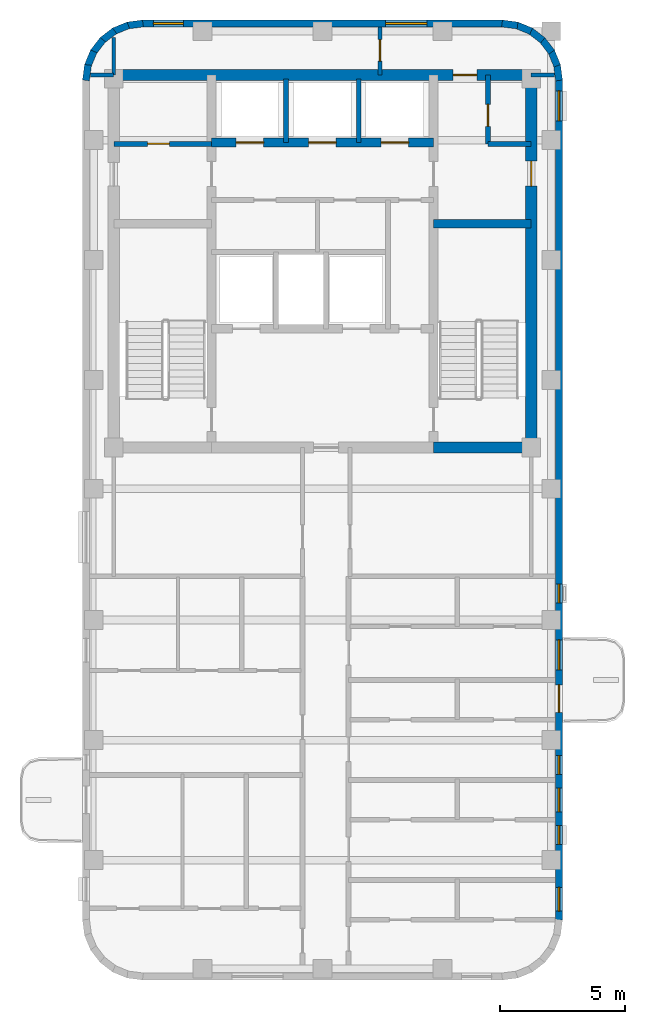
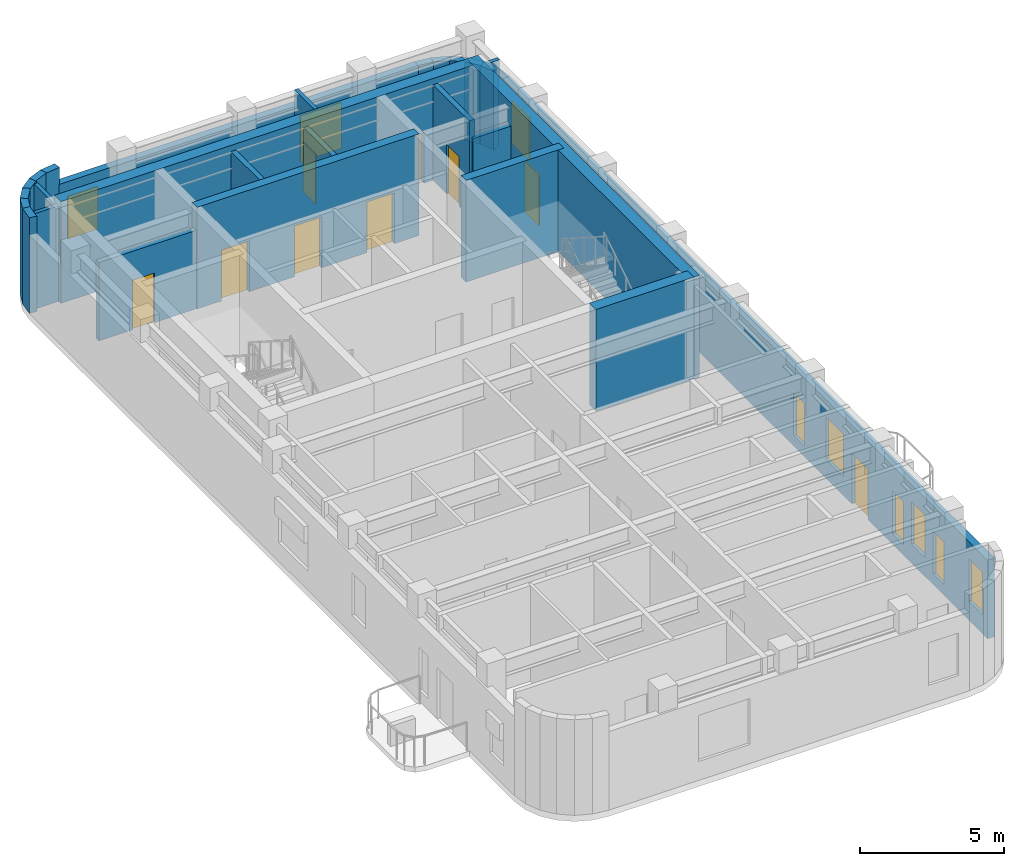
# One storey, part 4 of 7: 28 walls, 9 doors, 9 windows, 18 openings.
"""IFC4 building model written with IfcOpenShell, lengths in metres."""

from ifc_helpers import new_model, si_unit, direction, frame, frame_2d, origin, place, context, subcontext, project, spatial, rectangle, extrude, material, layer, layer_set, type_object, element, fill, save


model = new_model("IFC4")

# Units and contexts
model_context = context("Model", 3, precision=1e-05, world=origin(), true_north=direction((0.0, 1.0)))
body_context = subcontext(model_context, "Body", "Model", "MODEL_VIEW")
ifc_project = project(units=[si_unit("LENGTHUNIT", "METRE"), si_unit("AREAUNIT", "SQUARE_METRE"), si_unit("VOLUMEUNIT", "CUBIC_METRE"), si_unit("PLANEANGLEUNIT", "RADIAN"), si_unit("MASSUNIT", "GRAM", prefix="KILO")], contexts=[model_context])

# Site, building, storey
site_placement = place(None, origin())
site = spatial("IfcSite", under=ifc_project, at=site_placement, CompositionType="ELEMENT")
building_placement = place(site_placement, origin())
building = spatial("IfcBuilding", under=site, at=building_placement, Name="Orvandelia Arch Residences", CompositionType="ELEMENT")
storey_placement = place(building_placement, frame((0.0, 0.0, 257.0)))
storey = spatial("IfcBuildingStorey", under=building, at=storey_placement, Name="L67", CompositionType="ELEMENT", Elevation=257.0)

# Wall
ifc_material_1 = material(Name="Concrete C50/60", Category="concrete")
ifc_layer_1 = layer(ifc_material_1, 0.35009765625, Name="Concrete C50/60", Category="concrete")
ifc_layer_set_1 = layer_set([ifc_layer_1], Name="Concrete C50/60")
wall_type_1 = type_object("IfcWallType", Name="WL-CORE-350", PredefinedType="SHEAR", material=ifc_layer_set_1)
wall_1_placement = place(storey_placement, frame((18.840087890625, 39.85009765625, 0.0), z_axis=(0.0, 0.0, 1.0), x_axis=(1.0, 0.0, 0.0)))
element("IfcWall", 1, at=wall_1_placement, inside=storey, type_object=wall_type_1, Name="Core Shear Wall L67-HZ2", PredefinedType="SHEAR", context=body_context, shape_type="SweptSolid", body=[
    extrude(rectangle(XDim=3.909912109375, YDim=0.35009765625, at=frame_2d((1.955078125, 0.0))), origin(), (0.0, 0.0, 1.0), 4.300048828125),
])

# Wall, openings, doors
wall_2_placement = place(storey_placement, frame((9.9599609375, 43.10009765625, 0.0), z_axis=(0.0, 0.0, 1.0), x_axis=(1.0, 0.0, 0.0)))
wall_2 = element("IfcWall", 2, at=wall_2_placement, inside=storey, type_object=wall_type_1, Name="Core Shear Wall L67-HZ4", PredefinedType="SHEAR", context=body_context, shape_type="SweptSolid", body=[
    extrude(rectangle(XDim=8.880126953125, YDim=0.35009765625, at=frame_2d((4.43994140625, 0.0))), origin(), (0.0, 0.0, 1.0), 4.300048828125),
])
opening_1_placement = place(wall_2_placement, frame((0.989990234375, 0.0, 0.0)))
opening_1 = element("IfcOpeningElement", 3, at=opening_1_placement, cuts=wall_2, Name="Opening LD", PredefinedType="OPENING", context=body_context, shape_type="SweptSolid", body=[
    extrude(rectangle(XDim=1.10009765625, YDim=2.14990234375, at=frame_2d((0.550048828125, 1.074951171875))), frame((0.0, 0.18505859375, 0.0), z_axis=(0.0, -1.0, 0.0), x_axis=(1.0, 0.0, 0.0)), (0.0, 0.0, 1.0), 0.3701171875),
])
opening_2_placement = place(wall_2_placement, frame((3.889892578125, 0.0, 0.0)))
opening_2 = element("IfcOpeningElement", 4, at=opening_2_placement, cuts=wall_2, Name="Opening LD", PredefinedType="OPENING", context=body_context, shape_type="SweptSolid", body=[
    extrude(rectangle(XDim=1.10009765625, YDim=2.14990234375, at=frame_2d((0.550048828125, 1.074951171875))), frame((0.0, 0.18505859375, 0.0), z_axis=(0.0, -1.0, 0.0), x_axis=(1.0, 0.0, 0.0)), (0.0, 0.0, 1.0), 0.3701171875),
])
opening_3_placement = place(wall_2_placement, frame((6.7900390625, 0.0, 0.0)))
opening_3 = element("IfcOpeningElement", 5, at=opening_3_placement, cuts=wall_2, Name="Opening LD", PredefinedType="OPENING", context=body_context, shape_type="SweptSolid", body=[
    extrude(rectangle(XDim=1.10009765625, YDim=2.14990234375, at=frame_2d((0.550048828125, 1.074951171875))), frame((0.0, 0.18505859375, 0.0), z_axis=(0.0, -1.0, 0.0), x_axis=(1.0, 0.0, 0.0)), (0.0, 0.0, 1.0), 0.3701171875),
])
ifc_material_2 = material(Name="Brushed Stainless Steel Sliding Lift Door", Category="steel")
door_type_1 = type_object("IfcDoorType", Name="DR-LIFT-1100", OperationType="NOTDEFINED", PredefinedType="DOOR", material=ifc_material_2)
door_1_placement = place(opening_1_placement, origin())
door_1 = element("IfcDoor", 6, at=door_1_placement, inside=storey, type_object=door_type_1, Name="Lift Landing Door LD-PH1-L67", OperationType="SLIDING_TO_LEFT", OverallHeight=2.14990234375, OverallWidth=1.10009765625, PredefinedType="DOOR", context=body_context, shape_type="SweptSolid", body=[
    extrude(rectangle(XDim=1.10009765625, YDim=2.14990234375, at=frame_2d((0.550048828125, 1.074951171875))), frame((0.0, 0.02490234375, 0.0), z_axis=(0.0, -1.0, 0.0), x_axis=(1.0, 0.0, 0.0)), (0.0, 0.0, 1.0), 0.050048828125),
])
fill(opening_1, door_1)
door_2_placement = place(opening_2_placement, origin())
door_2 = element("IfcDoor", 7, at=door_2_placement, inside=storey, type_object=door_type_1, Name="Lift Landing Door LD-PH2-L67", OperationType="SLIDING_TO_RIGHT", OverallHeight=2.14990234375, OverallWidth=1.10009765625, PredefinedType="DOOR", context=body_context, shape_type="SweptSolid", body=[
    extrude(rectangle(XDim=1.10009765625, YDim=2.14990234375, at=frame_2d((0.550048828125, 1.074951171875))), frame((0.0, 0.02490234375, 0.0), z_axis=(0.0, -1.0, 0.0), x_axis=(1.0, 0.0, 0.0)), (0.0, 0.0, 1.0), 0.050048828125),
])
fill(opening_2, door_2)
door_3_placement = place(opening_3_placement, origin())
door_3 = element("IfcDoor", 8, at=door_3_placement, inside=storey, type_object=door_type_1, Name="Lift Landing Door LD-PH3-L67", OperationType="SLIDING_TO_LEFT", OverallHeight=2.14990234375, OverallWidth=1.10009765625, PredefinedType="DOOR", context=body_context, shape_type="SweptSolid", body=[
    extrude(rectangle(XDim=1.10009765625, YDim=2.14990234375, at=frame_2d((0.550048828125, 1.074951171875))), frame((0.0, 0.02490234375, 0.0), z_axis=(0.0, -1.0, 0.0), x_axis=(1.0, 0.0, 0.0)), (0.0, 0.0, 1.0), 0.050048828125),
])
fill(opening_3, door_3)

# Wall, opening, door
ifc_layer_2 = layer(ifc_material_1, 0.449951171875, Name="Concrete C50/60", Category="concrete")
ifc_layer_set_2 = layer_set([ifc_layer_2], Name="Concrete C50/60")
wall_type_2 = type_object("IfcWallType", Name="WL-CORE-450", PredefinedType="SHEAR", material=ifc_layer_set_2)
wall_3_placement = place(storey_placement, frame((22.75, 30.675048828125, 0.0), z_axis=(0.0, 0.0, 1.0), x_axis=(0.0, 1.0, 0.0)))
wall_3 = element("IfcWall", 9, at=wall_3_placement, inside=storey, type_object=wall_type_2, Name="Core Shear Wall L67-E", PredefinedType="SHEAR", context=body_context, shape_type="SweptSolid", body=[
    extrude(rectangle(XDim=15.349853515625, YDim=0.449951171875, at=frame_2d((7.6748046875, 0.0))), origin(), (0.0, 0.0, 1.0), 4.300048828125),
])
opening_4_placement = place(wall_3_placement, frame((10.675048828125, 0.0, 0.0)))
opening_4 = element("IfcOpeningElement", 10, at=opening_4_placement, cuts=wall_3, Name="Opening D6", PredefinedType="OPENING", context=body_context, shape_type="SweptSolid", body=[
    extrude(rectangle(XDim=1.0, YDim=2.14990234375, at=frame_2d((0.5, 1.074951171875))), frame((0.0, 0.23486328125, 0.0), z_axis=(0.0, -1.0, 0.0), x_axis=(1.0, 0.0, 0.0)), (0.0, 0.0, 1.0), 0.469970703125),
])
ifc_material_3 = material(Name="Smokeproof Painted Steel Fire Door", Category="steel")
door_type_2 = type_object("IfcDoorType", Name="DR-FD60-1000", OperationType="NOTDEFINED", PredefinedType="DOOR", material=ifc_material_3)
door_4_placement = place(opening_4_placement, origin())
door_4 = element("IfcDoor", 11, at=door_4_placement, inside=storey, type_object=door_type_2, Name="Core East Corridor Link Door L67", OperationType="SINGLE_SWING_LEFT", OverallHeight=2.14990234375, OverallWidth=1.0, PredefinedType="DOOR", context=body_context, shape_type="SweptSolid", body=[
    extrude(rectangle(XDim=1.0, YDim=2.14990234375, at=frame_2d((0.5, 1.074951171875))), frame((0.0, 0.02490234375, 0.0), z_axis=(0.0, -1.0, 0.0), x_axis=(1.0, 0.0, 0.0)), (0.0, 0.0, 1.0), 0.050048828125),
])
fill(opening_4, door_4)

wall_4_placement = place(storey_placement, frame((6.050048828125, 45.800048828125, 0.0), z_axis=(0.0, 0.0, 1.0), x_axis=(1.0, 0.0, 0.0)))
wall_4 = element("IfcWall", 12, at=wall_4_placement, inside=storey, type_object=wall_type_2, Name="Core Shear Wall L67-N", PredefinedType="SHEAR", context=body_context, shape_type="SweptSolid", body=[
    extrude(rectangle(XDim=16.699951171875, YDim=0.449951171875, at=frame_2d((8.35009765625, 0.0))), origin(), (0.0, 0.0, 1.0), 4.300048828125),
])
opening_5_placement = place(wall_4_placement, frame((13.570068359375, 0.0, 0.0)))
opening_5 = element("IfcOpeningElement", 13, at=opening_5_placement, cuts=wall_4, Name="Opening D2", PredefinedType="OPENING", context=body_context, shape_type="SweptSolid", body=[
    extrude(rectangle(XDim=0.949951171875, YDim=2.14990234375, at=frame_2d((0.47509765625, 1.074951171875))), frame((0.0, 0.23486328125, 0.0), z_axis=(0.0, -1.0, 0.0), x_axis=(1.0, 0.0, 0.0)), (0.0, 0.0, 1.0), 0.469970703125),
])
ifc_material_4 = material(Name="Solid-Core Timber Interior Fire Door", Category="wood")
door_type_3 = type_object("IfcDoorType", Name="DR-APT-950", OperationType="NOTDEFINED", PredefinedType="DOOR", material=ifc_material_4)
door_5_placement = place(opening_5_placement, origin())
door_5 = element("IfcDoor", 14, at=door_5_placement, inside=storey, type_object=door_type_3, Name="North Harbour Suite Entry Door L67", OperationType="SINGLE_SWING_LEFT", OverallHeight=2.14990234375, OverallWidth=0.949951171875, PredefinedType="DOOR", context=body_context, shape_type="SweptSolid", body=[
    extrude(rectangle(XDim=0.949951171875, YDim=2.14990234375, at=frame_2d((0.47509765625, 1.074951171875))), frame((0.0, 0.02490234375, 0.0), z_axis=(0.0, -1.0, 0.0), x_axis=(1.0, 0.0, 0.0)), (0.0, 0.0, 1.0), 0.050048828125),
])
fill(opening_5, door_5)

# Walls
wall_5_placement = place(storey_placement, frame((18.840087890625, 30.89990234375, 0.0), z_axis=(0.0, 0.0, 1.0), x_axis=(1.0, 0.0, 0.0)))
element("IfcWall", 15, at=wall_5_placement, inside=storey, type_object=wall_type_2, Name="Core Shear Wall L67-SE", PredefinedType="SHEAR", context=body_context, shape_type="SweptSolid", body=[
    extrude(rectangle(XDim=3.909912109375, YDim=0.449951171875, at=frame_2d((1.955078125, 0.0))), origin(), (0.0, 0.0, 1.0), 4.300048828125),
])
ifc_material_5 = material(Name="Precast concrete C40/50", Category="concrete")
ifc_layer_3 = layer(ifc_material_5, 0.280029296875, Name="Precast concrete C40/50", Category="concrete")
ifc_layer_set_3 = layer_set([ifc_layer_3], Name="Precast concrete C40/50")
wall_type_3 = type_object("IfcWallType", Name="WL-EXT-STONE-280", PredefinedType="STANDARD", material=ifc_layer_set_3)
for number, where, z_axis, x_axis, name in (
    (16, (4.938720703125, 45.581787109375, 0.0), (0.0, 0.0, 1.0), (0.130555323746, 0.9914410257, 0.0), "Coral-Limestone Precast Facade Wall L67-001"),
    (17, (5.010986328125, 46.16748046875, 0.0), (0.0, 0.0, 1.0), (0.382650053678, 0.92389335771, 0.0), "Coral-Limestone Precast Facade Wall L67-002"),
    (18, (5.232666015625, 46.71484375, 0.0), (0.0, 0.0, 1.0), (0.608693302629, 0.793405610854, 0.0), "Coral-Limestone Precast Facade Wall L67-003"),
    (19, (5.588134765625, 47.18603515625, 0.0), (0.0, 0.0, 1.0), (0.793405610854, 0.608693302629, 0.0), "Coral-Limestone Precast Facade Wall L67-004"),
):
    element("IfcWall", number, at=place(storey_placement, frame(where, z_axis=z_axis, x_axis=x_axis)), inside=storey, type_object=wall_type_3, Name=name, PredefinedType="STANDARD", context=body_context, shape_type="SweptSolid", body=[
        extrude(rectangle(XDim=0.62646484375, YDim=0.280029296875, at=frame_2d((0.313232421875, 0.0))), origin(), (0.0, 0.0, 1.0), 4.0400390625),
    ])
wall_6_placement = place(storey_placement, frame((6.0537109375, 47.54931640625, 0.0), z_axis=(0.0, 0.0, 1.0), x_axis=(0.923974080304, 0.382455093999, 0.0)))
element("IfcWall", 20, at=wall_6_placement, inside=storey, type_object=wall_type_3, Name="Coral-Limestone Precast Facade Wall L67-005", PredefinedType="STANDARD", context=body_context, shape_type="SweptSolid", body=[
    extrude(rectangle(XDim=0.626220703125, YDim=0.280029296875, at=frame_2d((0.31298828125, 0.0))), origin(), (0.0, 0.0, 1.0), 4.0400390625),
])
wall_7_placement = place(storey_placement, frame((6.59716796875, 47.779296875, 0.0), z_axis=(0.0, 0.0, 1.0), x_axis=(0.9914410257, 0.130555323746, 0.0)))
element("IfcWall", 21, at=wall_7_placement, inside=storey, type_object=wall_type_3, Name="Coral-Limestone Precast Facade Wall L67-006", PredefinedType="STANDARD", context=body_context, shape_type="SweptSolid", body=[
    extrude(rectangle(XDim=0.62646484375, YDim=0.280029296875, at=frame_2d((0.313232421875, 0.0))), origin(), (0.0, 0.0, 1.0), 4.0400390625),
])

# Wall, openings, windows
wall_8_placement = place(storey_placement, frame((7.199951171875, 47.860107421875, 0.0), z_axis=(0.0, 0.0, 1.0), x_axis=(1.0, 0.0, 0.0)))
wall_8 = element("IfcWall", 22, at=wall_8_placement, inside=storey, type_object=wall_type_3, Name="Coral-Limestone Precast Facade Wall L67-007", PredefinedType="STANDARD", context=body_context, shape_type="SweptSolid", body=[
    extrude(rectangle(XDim=14.400146484375, YDim=0.280029296875, at=frame_2d((7.2001953125, 0.0))), origin(), (0.0, 0.0, 1.0), 3.320068359375),
])
opening_6_placement = place(wall_8_placement, frame((0.4326171875, 0.0, 0.800048828125)))
opening_6 = element("IfcOpeningElement", 23, at=opening_6_placement, cuts=wall_8, Name="Opening W3", PredefinedType="OPENING", context=body_context, shape_type="SweptSolid", body=[
    extrude(rectangle(XDim=1.199951171875, YDim=1.800048828125, at=frame_2d((0.60009765625, 0.89990234375))), frame((0.0, 0.14990234375, 0.0), z_axis=(0.0, -1.0, 0.0), x_axis=(1.0, 0.0, 0.0)), (0.0, 0.0, 1.0), 0.300048828125),
])
opening_7_placement = place(wall_8_placement, frame((9.7275390625, 0.0, 0.800048828125)))
opening_7 = element("IfcOpeningElement", 24, at=opening_7_placement, cuts=wall_8, Name="Opening W9", PredefinedType="OPENING", context=body_context, shape_type="SweptSolid", body=[
    extrude(rectangle(XDim=1.64990234375, YDim=1.949951171875, at=frame_2d((0.824951171875, 0.97509765625))), frame((0.0, 0.14990234375, 0.0), z_axis=(0.0, -1.0, 0.0), x_axis=(1.0, 0.0, 0.0)), (0.0, 0.0, 1.0), 0.300048828125),
])
ifc_material_6 = material(Name="Tempered Low-E Insulated Glazing", Category="glass")
window_type_1 = type_object("IfcWindowType", Name="WIN-RES-1200x1800", PartitioningType="SINGLE_PANEL", PredefinedType="WINDOW", material=ifc_material_6)
window_1_placement = place(opening_6_placement, origin())
window_1 = element("IfcWindow", 25, at=window_1_placement, inside=storey, type_object=window_type_1, Name="Recessed Punched Window L67-001", OverallHeight=1.800048828125, OverallWidth=1.199951171875, PartitioningType="SINGLE_PANEL", PredefinedType="WINDOW", context=body_context, shape_type="SweptSolid", body=[
    extrude(rectangle(XDim=1.199951171875, YDim=1.800048828125, at=frame_2d((0.60009765625, 0.89990234375))), frame((0.0, 0.030029296875, 0.0), z_axis=(0.0, -1.0, 0.0), x_axis=(1.0, 0.0, 0.0)), (0.0, 0.0, 1.0), 0.06005859375),
])
fill(opening_6, window_1)
window_type_2 = type_object("IfcWindowType", Name="WIN-UPP-1650x1950", PartitioningType="SINGLE_PANEL", PredefinedType="WINDOW", material=ifc_material_6)
window_2_placement = place(opening_7_placement, origin())
window_2 = element("IfcWindow", 26, at=window_2_placement, inside=storey, type_object=window_type_2, Name="Recessed Punched Window L67-002", OverallHeight=1.949951171875, OverallWidth=1.64990234375, PartitioningType="SINGLE_PANEL", PredefinedType="WINDOW", context=body_context, shape_type="SweptSolid", body=[
    extrude(rectangle(XDim=1.64990234375, YDim=1.949951171875, at=frame_2d((0.824951171875, 0.97509765625))), frame((0.0, 0.030029296875, 0.0), z_axis=(0.0, -1.0, 0.0), x_axis=(1.0, 0.0, 0.0)), (0.0, 0.0, 1.0), 0.06005859375),
])
fill(opening_7, window_2)

# Walls
for number, where, z_axis, x_axis, name in (
    (27, (21.581787109375, 47.861083984375, 0.0), (0.0, 0.0, 1.0), (0.9914410257, -0.130555323746, 0.0), "Coral-Limestone Precast Facade Wall L67-008"),
    (28, (22.16748046875, 47.788818359375, 0.0), (0.0, 0.0, 1.0), (0.924031075431, -0.382317370307, 0.0), "Coral-Limestone Precast Facade Wall L67-009"),
    (29, (22.71484375, 47.5673828125, 0.0), (0.0, 0.0, 1.0), (0.793405610854, -0.608693302629, 0.0), "Coral-Limestone Precast Facade Wall L67-010"),
    (30, (23.18603515625, 47.2119140625, 0.0), (0.0, 0.0, 1.0), (0.608693302629, -0.793405610854, 0.0), "Coral-Limestone Precast Facade Wall L67-011"),
    (31, (23.54931640625, 46.746337890625, 0.0), (0.0, 0.0, 1.0), (0.382317370307, -0.924031075431, 0.0), "Coral-Limestone Precast Facade Wall L67-012"),
    (32, (23.779296875, 46.202880859375, 0.0), (0.0, 0.0, 1.0), (0.130555323746, -0.9914410257, 0.0), "Coral-Limestone Precast Facade Wall L67-013"),
):
    element("IfcWall", number, at=place(storey_placement, frame(where, z_axis=z_axis, x_axis=x_axis)), inside=storey, type_object=wall_type_3, Name=name, PredefinedType="STANDARD", context=body_context, shape_type="SweptSolid", body=[
        extrude(rectangle(XDim=0.62646484375, YDim=0.280029296875, at=frame_2d((0.313232421875, 0.0))), origin(), (0.0, 0.0, 1.0), 3.320068359375),
    ])

# Wall, openings, door, windows
wall_9_placement = place(storey_placement, frame((23.860107421875, 45.60009765625, 0.0), z_axis=(0.0, 0.0, 1.0), x_axis=(0.0, -1.0, 0.0)))
wall_9 = element("IfcWall", 33, at=wall_9_placement, inside=storey, type_object=wall_type_3, Name="Coral-Limestone Precast Facade Wall L67-014", PredefinedType="STANDARD", context=body_context, shape_type="SweptSolid", body=[
    extrude(rectangle(XDim=33.60009765625, YDim=0.280029296875, at=frame_2d((16.800048828125, 0.0))), origin(), (0.0, 0.0, 1.0), 3.320068359375),
])
opening_8_placement = place(wall_9_placement, frame((24.199951171875, 0.0, 0.0)))
opening_8 = element("IfcOpeningElement", 34, at=opening_8_placement, cuts=wall_9, Name="Opening BD1", PredefinedType="OPENING", context=body_context, shape_type="SweptSolid", body=[
    extrude(rectangle(XDim=1.10009765625, YDim=2.14990234375, at=frame_2d((0.550048828125, 1.074951171875))), frame((0.0, 0.14990234375, 0.0), z_axis=(0.0, -1.0, 0.0), x_axis=(1.0, 0.0, 0.0)), (0.0, 0.0, 1.0), 0.300048828125),
])
opening_9_placement = place(wall_9_placement, frame((29.822509765625, 0.0, 0.449951171875)))
opening_9 = element("IfcOpeningElement", 35, at=opening_9_placement, cuts=wall_9, Name="Opening W11", PredefinedType="OPENING", context=body_context, shape_type="SweptSolid", body=[
    extrude(rectangle(XDim=0.75, YDim=1.800048828125, at=frame_2d((0.375, 0.89990234375))), frame((0.0, 0.14990234375, 0.0), z_axis=(0.0, -1.0, 0.0), x_axis=(1.0, 0.0, 0.0)), (0.0, 0.0, 1.0), 0.300048828125),
])
opening_10_placement = place(wall_9_placement, frame((27.0224609375, 0.0, 0.449951171875)))
opening_10 = element("IfcOpeningElement", 36, at=opening_10_placement, cuts=wall_9, Name="Opening W11", PredefinedType="OPENING", context=body_context, shape_type="SweptSolid", body=[
    extrude(rectangle(XDim=0.75, YDim=1.800048828125, at=frame_2d((0.375, 0.89990234375))), frame((0.0, 0.14990234375, 0.0), z_axis=(0.0, -1.0, 0.0), x_axis=(1.0, 0.0, 0.0)), (0.0, 0.0, 1.0), 0.300048828125),
])
opening_11_placement = place(wall_9_placement, frame((22.3974609375, 0.0, 0.800048828125)))
opening_11 = element("IfcOpeningElement", 37, at=opening_11_placement, cuts=wall_9, Name="Opening W3", PredefinedType="OPENING", context=body_context, shape_type="SweptSolid", body=[
    extrude(rectangle(XDim=1.199951171875, YDim=1.800048828125, at=frame_2d((0.60009765625, 0.89990234375))), frame((0.0, 0.14990234375, 0.0), z_axis=(0.0, -1.0, 0.0), x_axis=(1.0, 0.0, 0.0)), (0.0, 0.0, 1.0), 0.300048828125),
])
opening_12_placement = place(wall_9_placement, frame((0.4326171875, 0.0, 0.800048828125)))
opening_12 = element("IfcOpeningElement", 38, at=opening_12_placement, cuts=wall_9, Name="Opening W3", PredefinedType="OPENING", context=body_context, shape_type="SweptSolid", body=[
    extrude(rectangle(XDim=1.199951171875, YDim=1.800048828125, at=frame_2d((0.60009765625, 0.89990234375))), frame((0.0, 0.14990234375, 0.0), z_axis=(0.0, -1.0, 0.0), x_axis=(1.0, 0.0, 0.0)), (0.0, 0.0, 1.0), 0.300048828125),
])
opening_13_placement = place(wall_9_placement, frame((32.294921875, 0.0, 0.800048828125)))
opening_13 = element("IfcOpeningElement", 39, at=opening_13_placement, cuts=wall_9, Name="Opening W4", PredefinedType="OPENING", context=body_context, shape_type="SweptSolid", body=[
    extrude(rectangle(XDim=0.949951171875, YDim=1.800048828125, at=frame_2d((0.47509765625, 0.89990234375))), frame((0.0, 0.14990234375, 0.0), z_axis=(0.0, -1.0, 0.0), x_axis=(1.0, 0.0, 0.0)), (0.0, 0.0, 1.0), 0.300048828125),
])
opening_14_placement = place(wall_9_placement, frame((28.320068359375, 0.0, 0.800048828125)))
opening_14 = element("IfcOpeningElement", 40, at=opening_14_placement, cuts=wall_9, Name="Opening W4", PredefinedType="OPENING", context=body_context, shape_type="SweptSolid", body=[
    extrude(rectangle(XDim=0.949951171875, YDim=1.800048828125, at=frame_2d((0.47509765625, 0.89990234375))), frame((0.0, 0.14990234375, 0.0), z_axis=(0.0, -1.0, 0.0), x_axis=(1.0, 0.0, 0.0)), (0.0, 0.0, 1.0), 0.300048828125),
])
opening_15_placement = place(wall_9_placement, frame((20.16748046875, 0.0, 0.449951171875)))
opening_15 = element("IfcOpeningElement", 41, at=opening_15_placement, cuts=wall_9, Name="Opening W11", PredefinedType="OPENING", context=body_context, shape_type="SweptSolid", body=[
    extrude(rectangle(XDim=0.75, YDim=1.800048828125, at=frame_2d((0.375, 0.89990234375))), frame((0.0, 0.14990234375, 0.0), z_axis=(0.0, -1.0, 0.0), x_axis=(1.0, 0.0, 0.0)), (0.0, 0.0, 1.0), 0.300048828125),
])
ifc_material_7 = material(Name="Thermally Broken Aluminium Glazed Door", Category="aluminium")
door_type_4 = type_object("IfcDoorType", Name="DR-BAL-GLAZ-1100", OperationType="NOTDEFINED", PredefinedType="DOOR", material=ifc_material_7)
door_6_placement = place(opening_8_placement, origin())
door_6 = element("IfcDoor", 42, at=door_6_placement, inside=storey, type_object=door_type_4, Name="Tree Balcony Glazed Door BAL-L67-W2", OperationType="SINGLE_SWING_LEFT", OverallHeight=2.14990234375, OverallWidth=1.10009765625, PredefinedType="DOOR", context=body_context, shape_type="SweptSolid", body=[
    extrude(rectangle(XDim=1.10009765625, YDim=2.14990234375, at=frame_2d((0.550048828125, 1.074951171875))), frame((0.0, 0.02490234375, 0.0), z_axis=(0.0, -1.0, 0.0), x_axis=(1.0, 0.0, 0.0)), (0.0, 0.0, 1.0), 0.050048828125),
])
fill(opening_8, door_6)
window_type_3 = type_object("IfcWindowType", Name="WIN-BED-0750x1800", PartitioningType="SINGLE_PANEL", PredefinedType="WINDOW", material=ifc_material_6)
window_3_placement = place(opening_9_placement, origin())
window_3 = element("IfcWindow", 43, at=window_3_placement, inside=storey, type_object=window_type_3, Name="Recessed Punched Window L67-003", OverallHeight=1.800048828125, OverallWidth=0.75, PartitioningType="SINGLE_PANEL", PredefinedType="WINDOW", context=body_context, shape_type="SweptSolid", body=[
    extrude(rectangle(XDim=0.75, YDim=1.800048828125, at=frame_2d((0.375, 0.89990234375))), frame((0.0, 0.030029296875, 0.0), z_axis=(0.0, -1.0, 0.0), x_axis=(1.0, 0.0, 0.0)), (0.0, 0.0, 1.0), 0.06005859375),
])
fill(opening_9, window_3)
window_4_placement = place(opening_10_placement, origin())
window_4 = element("IfcWindow", 44, at=window_4_placement, inside=storey, type_object=window_type_3, Name="Recessed Punched Window L67-004", OverallHeight=1.800048828125, OverallWidth=0.75, PartitioningType="SINGLE_PANEL", PredefinedType="WINDOW", context=body_context, shape_type="SweptSolid", body=[
    extrude(rectangle(XDim=0.75, YDim=1.800048828125, at=frame_2d((0.375, 0.89990234375))), frame((0.0, 0.030029296875, 0.0), z_axis=(0.0, -1.0, 0.0), x_axis=(1.0, 0.0, 0.0)), (0.0, 0.0, 1.0), 0.06005859375),
])
fill(opening_10, window_4)
window_5_placement = place(opening_15_placement, origin())
window_5 = element("IfcWindow", 45, at=window_5_placement, inside=storey, type_object=window_type_3, Name="Recessed Punched Window L67-009", OverallHeight=1.800048828125, OverallWidth=0.75, PartitioningType="SINGLE_PANEL", PredefinedType="WINDOW", context=body_context, shape_type="SweptSolid", body=[
    extrude(rectangle(XDim=0.75, YDim=1.800048828125, at=frame_2d((0.375, 0.89990234375))), frame((0.0, 0.030029296875, 0.0), z_axis=(0.0, -1.0, 0.0), x_axis=(1.0, 0.0, 0.0)), (0.0, 0.0, 1.0), 0.06005859375),
])
fill(opening_15, window_5)
window_type_4 = type_object("IfcWindowType", Name="WIN-RES-0950x1800", PartitioningType="SINGLE_PANEL", PredefinedType="WINDOW", material=ifc_material_6)
window_6_placement = place(opening_13_placement, origin())
window_6 = element("IfcWindow", 46, at=window_6_placement, inside=storey, type_object=window_type_4, Name="Recessed Punched Window L67-007", OverallHeight=1.800048828125, OverallWidth=0.949951171875, PartitioningType="SINGLE_PANEL", PredefinedType="WINDOW", context=body_context, shape_type="SweptSolid", body=[
    extrude(rectangle(XDim=0.949951171875, YDim=1.800048828125, at=frame_2d((0.47509765625, 0.89990234375))), frame((0.0, 0.030029296875, 0.0), z_axis=(0.0, -1.0, 0.0), x_axis=(1.0, 0.0, 0.0)), (0.0, 0.0, 1.0), 0.06005859375),
])
fill(opening_13, window_6)
window_7_placement = place(opening_14_placement, origin())
window_7 = element("IfcWindow", 47, at=window_7_placement, inside=storey, type_object=window_type_4, Name="Recessed Punched Window L67-008", OverallHeight=1.800048828125, OverallWidth=0.949951171875, PartitioningType="SINGLE_PANEL", PredefinedType="WINDOW", context=body_context, shape_type="SweptSolid", body=[
    extrude(rectangle(XDim=0.949951171875, YDim=1.800048828125, at=frame_2d((0.47509765625, 0.89990234375))), frame((0.0, 0.030029296875, 0.0), z_axis=(0.0, -1.0, 0.0), x_axis=(1.0, 0.0, 0.0)), (0.0, 0.0, 1.0), 0.06005859375),
])
fill(opening_14, window_7)
window_8_placement = place(opening_11_placement, origin())
window_8 = element("IfcWindow", 48, at=window_8_placement, inside=storey, type_object=window_type_1, Name="Recessed Punched Window L67-005", OverallHeight=1.800048828125, OverallWidth=1.199951171875, PartitioningType="SINGLE_PANEL", PredefinedType="WINDOW", context=body_context, shape_type="SweptSolid", body=[
    extrude(rectangle(XDim=1.199951171875, YDim=1.800048828125, at=frame_2d((0.60009765625, 0.89990234375))), frame((0.0, 0.030029296875, 0.0), z_axis=(0.0, -1.0, 0.0), x_axis=(1.0, 0.0, 0.0)), (0.0, 0.0, 1.0), 0.06005859375),
])
fill(opening_11, window_8)
window_9_placement = place(opening_12_placement, origin())
window_9 = element("IfcWindow", 49, at=window_9_placement, inside=storey, type_object=window_type_1, Name="Recessed Punched Window L67-006", OverallHeight=1.800048828125, OverallWidth=1.199951171875, PartitioningType="SINGLE_PANEL", PredefinedType="WINDOW", context=body_context, shape_type="SweptSolid", body=[
    extrude(rectangle(XDim=1.199951171875, YDim=1.800048828125, at=frame_2d((0.60009765625, 0.89990234375))), frame((0.0, 0.030029296875, 0.0), z_axis=(0.0, -1.0, 0.0), x_axis=(1.0, 0.0, 0.0)), (0.0, 0.0, 1.0), 0.06005859375),
])
fill(opening_12, window_9)

# Walls
ifc_material_8 = material(Name="Acoustic Gypsum Stud Partition")
ifc_layer_4 = layer(ifc_material_8, 0.14990234375, Name="Acoustic Gypsum Stud Partition")
ifc_layer_set_4 = layer_set([ifc_layer_4], Name="Acoustic Gypsum Stud Partition")
wall_type_4 = type_object("IfcWallType", Name="WL-PART-150", PredefinedType="PARTITIONING", material=ifc_layer_set_4)
wall_10_placement = place(storey_placement, frame((5.1201171875, 45.800048828125, 0.0), z_axis=(0.0, 0.0, 1.0), x_axis=(1.0, 0.0, 0.0)))
element("IfcWall", 50, at=wall_10_placement, inside=storey, type_object=wall_type_4, Name="Interior Partition Wall WL-L67-WF-N", PredefinedType="PARTITIONING", context=body_context, shape_type="SweptSolid", body=[
    extrude(rectangle(XDim=0.929931640625, YDim=0.14990234375, at=frame_2d((0.46484375, 0.0))), origin(), (0.0, 0.0, 1.0), 4.0400390625),
])
wall_11_placement = place(storey_placement, frame((6.050048828125, 45.800048828125, 0.0), z_axis=(0.0, 0.0, 1.0), x_axis=(0.0, 1.0, 0.0)))
element("IfcWall", 51, at=wall_11_placement, inside=storey, type_object=wall_type_4, Name="Interior Partition Wall WL-L67-NHI-W6", PredefinedType="PARTITIONING", context=body_context, shape_type="SweptSolid", body=[
    extrude(rectangle(XDim=1.5, YDim=0.14990234375, at=frame_2d((0.75, 0.0))), origin(), (0.0, 0.0, 1.0), 4.0400390625),
])
wall_12_placement = place(storey_placement, frame((22.75, 45.800048828125, 0.0), z_axis=(0.0, 0.0, 1.0), x_axis=(1.0, 0.0, 0.0)))
element("IfcWall", 52, at=wall_12_placement, inside=storey, type_object=wall_type_4, Name="Interior Partition Wall WL-L67-SEFLK-N", PredefinedType="PARTITIONING", context=body_context, shape_type="SweptSolid", body=[
    extrude(rectangle(XDim=0.929931640625, YDim=0.14990234375, at=frame_2d((0.46484375, 0.0))), origin(), (0.0, 0.0, 1.0), 4.0400390625),
])

# Wall, opening, door
wall_13_placement = place(storey_placement, frame((16.699951171875, 45.800048828125, 0.0), z_axis=(0.0, 0.0, 1.0), x_axis=(0.0, 1.0, 0.0)))
wall_13 = element("IfcWall", 53, at=wall_13_placement, inside=storey, type_object=wall_type_4, Name="Interior Partition Wall WL-L67-NHI-M", PredefinedType="PARTITIONING", context=body_context, shape_type="SweptSolid", body=[
    extrude(rectangle(XDim=1.919921875, YDim=0.14990234375, at=frame_2d((0.9599609375, 0.0))), origin(), (0.0, 0.0, 1.0), 4.0400390625),
])
opening_16_placement = place(wall_13_placement, frame((0.550048828125, 0.0, 0.0)))
opening_16 = element("IfcOpeningElement", 54, at=opening_16_placement, cuts=wall_13, Name="Opening D4", PredefinedType="OPENING", context=body_context, shape_type="SweptSolid", body=[
    extrude(rectangle(XDim=0.860107421875, YDim=2.10009765625, at=frame_2d((0.43017578125, 1.050048828125))), frame((0.0, 0.0849609375, 0.0), z_axis=(0.0, -1.0, 0.0), x_axis=(1.0, 0.0, 0.0)), (0.0, 0.0, 1.0), 0.169921875),
])
ifc_material_9 = material(Name="Moisture-Sealed Timber Bathroom Door", Category="wood")
door_type_5 = type_object("IfcDoorType", Name="DR-WET-900", OperationType="NOTDEFINED", PredefinedType="DOOR", material=ifc_material_9)
door_7_placement = place(opening_16_placement, origin())
door_7 = element("IfcDoor", 55, at=door_7_placement, inside=storey, type_object=door_type_5, Name="DR-L67-NHI1", OperationType="SINGLE_SWING_LEFT", OverallHeight=2.10009765625, OverallWidth=0.860107421875, PredefinedType="DOOR", context=body_context, shape_type="SweptSolid", body=[
    extrude(rectangle(XDim=0.860107421875, YDim=2.10009765625, at=frame_2d((0.43017578125, 1.050048828125))), frame((0.0, 0.02490234375, 0.0), z_axis=(0.0, -1.0, 0.0), x_axis=(1.0, 0.0, 0.0)), (0.0, 0.0, 1.0), 0.050048828125),
])
fill(opening_16, door_7)

# Wall
ifc_material_10 = material(Name="Fire-Rated Shaft Enclosure Wall")
ifc_layer_5 = layer(ifc_material_10, 0.199951171875, Name="Fire-Rated Shaft Enclosure Wall")
ifc_layer_set_5 = layer_set([ifc_layer_5], Name="Fire-Rated Shaft Enclosure Wall")
wall_type_5 = type_object("IfcWallType", Name="WL-SHAFT-200", PredefinedType="POLYGONAL", material=ifc_layer_set_5)
wall_14_placement = place(storey_placement, frame((21.02001953125, 43.050048828125, 0.0), z_axis=(0.0, 0.0, 1.0), x_axis=(1.0, 0.0, 0.0)))
element("IfcWall", 56, at=wall_14_placement, inside=storey, type_object=wall_type_5, Name="Interior Partition Wall WL-L67-HLE-N", PredefinedType="POLYGONAL", context=body_context, shape_type="SweptSolid", body=[
    extrude(rectangle(XDim=1.72998046875, YDim=0.199951171875, at=frame_2d((0.864990234375, 0.0))), origin(), (0.0, 0.0, 1.0), 3.320068359375),
])

# Wall, opening, door
wall_15_placement = place(storey_placement, frame((21.02001953125, 43.050048828125, 0.0), z_axis=(0.0, 0.0, 1.0), x_axis=(0.0, 1.0, 0.0)))
wall_15 = element("IfcWall", 57, at=wall_15_placement, inside=storey, type_object=wall_type_5, Name="Interior Partition Wall WL-L67-HLE-W21", PredefinedType="POLYGONAL", context=body_context, shape_type="SweptSolid", body=[
    extrude(rectangle(XDim=2.75, YDim=0.199951171875, at=frame_2d((1.375, 0.0))), origin(), (0.0, 0.0, 1.0), 4.0400390625),
])
opening_17_placement = place(wall_15_placement, frame((0.699951171875, 0.0, 0.0)))
opening_17 = element("IfcOpeningElement", 58, at=opening_17_placement, cuts=wall_15, Name="Opening D5", PredefinedType="OPENING", context=body_context, shape_type="SweptSolid", body=[
    extrude(rectangle(XDim=0.8798828125, YDim=2.10009765625, at=frame_2d((0.43994140625, 1.050048828125))), frame((0.0, 0.10986328125, 0.0), z_axis=(0.0, -1.0, 0.0), x_axis=(1.0, 0.0, 0.0)), (0.0, 0.0, 1.0), 0.219970703125),
])
ifc_material_11 = material(Name="Painted Galvanised Steel Service Door", Category="steel")
door_type_6 = type_object("IfcDoorType", Name="DR-SRV-880", OperationType="NOTDEFINED", PredefinedType="DOOR", material=ifc_material_11)
door_8_placement = place(opening_17_placement, origin())
door_8 = element("IfcDoor", 59, at=door_8_placement, inside=storey, type_object=door_type_6, Name="DR-L67-CSB1", OperationType="SINGLE_SWING_LEFT", OverallHeight=2.10009765625, OverallWidth=0.8798828125, PredefinedType="DOOR", context=body_context, shape_type="SweptSolid", body=[
    extrude(rectangle(XDim=0.8798828125, YDim=2.10009765625, at=frame_2d((0.43994140625, 1.050048828125))), frame((0.0, 0.02490234375, 0.0), z_axis=(0.0, -1.0, 0.0), x_axis=(1.0, 0.0, 0.0)), (0.0, 0.0, 1.0), 0.050048828125),
])
fill(opening_17, door_8)

wall_16_placement = place(storey_placement, frame((6.050048828125, 43.050048828125, 0.0), z_axis=(0.0, 0.0, 1.0), x_axis=(1.0, 0.0, 0.0)))
wall_16 = element("IfcWall", 60, at=wall_16_placement, inside=storey, type_object=wall_type_5, Name="Interior Partition Wall WL-L67-HLW-N", PredefinedType="POLYGONAL", context=body_context, shape_type="SweptSolid", body=[
    extrude(rectangle(XDim=3.909912109375, YDim=0.199951171875, at=frame_2d((1.955078125, 0.0))), origin(), (0.0, 0.0, 1.0), 3.320068359375),
])
opening_18_placement = place(wall_16_placement, frame((1.35009765625, 0.0, 0.0)))
opening_18 = element("IfcOpeningElement", 61, at=opening_18_placement, cuts=wall_16, Name="Opening D5", PredefinedType="OPENING", context=body_context, shape_type="SweptSolid", body=[
    extrude(rectangle(XDim=0.8798828125, YDim=2.10009765625, at=frame_2d((0.43994140625, 1.050048828125))), frame((0.0, 0.10986328125, 0.0), z_axis=(0.0, -1.0, 0.0), x_axis=(1.0, 0.0, 0.0)), (0.0, 0.0, 1.0), 0.219970703125),
])
door_9_placement = place(opening_18_placement, origin())
door_9 = element("IfcDoor", 62, at=door_9_placement, inside=storey, type_object=door_type_6, Name="Riser Service Door L67", OperationType="SINGLE_SWING_RIGHT", OverallHeight=2.10009765625, OverallWidth=0.8798828125, PredefinedType="DOOR", context=body_context, shape_type="SweptSolid", body=[
    extrude(rectangle(XDim=0.8798828125, YDim=2.10009765625, at=frame_2d((0.43994140625, 1.050048828125))), frame((0.0, 0.02490234375, 0.0), z_axis=(0.0, -1.0, 0.0), x_axis=(1.0, 0.0, 0.0)), (0.0, 0.0, 1.0), 0.050048828125),
])
fill(opening_18, door_9)

# Walls
for number, where, z_axis, x_axis, name in (
    (63, (12.949951171875, 43.10009765625, 0.0), (0.0, 0.0, 1.0), (0.0, 1.0, 0.0), "Interior Partition Wall WL-L67-PHD1"),
    (64, (15.85009765625, 43.10009765625, 0.0), (0.0, 0.0, 1.0), (0.0, 1.0, 0.0), "Interior Partition Wall WL-L67-PHD2"),
):
    element("IfcWall", number, at=place(storey_placement, frame(where, z_axis=z_axis, x_axis=x_axis)), inside=storey, type_object=wall_type_5, Name=name, PredefinedType="POLYGONAL", context=body_context, shape_type="SweptSolid", body=[
        extrude(rectangle(XDim=2.5498046875, YDim=0.199951171875, at=frame_2d((1.27490234375, 0.0))), origin(), (0.0, 0.0, 1.0), 4.0400390625),
    ])

save(model, "model.ifc")
